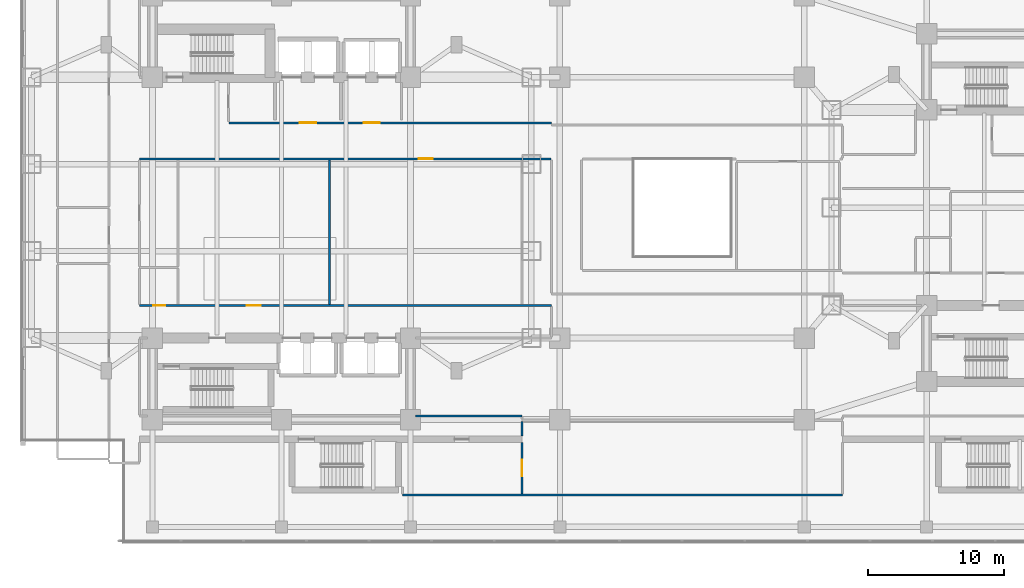
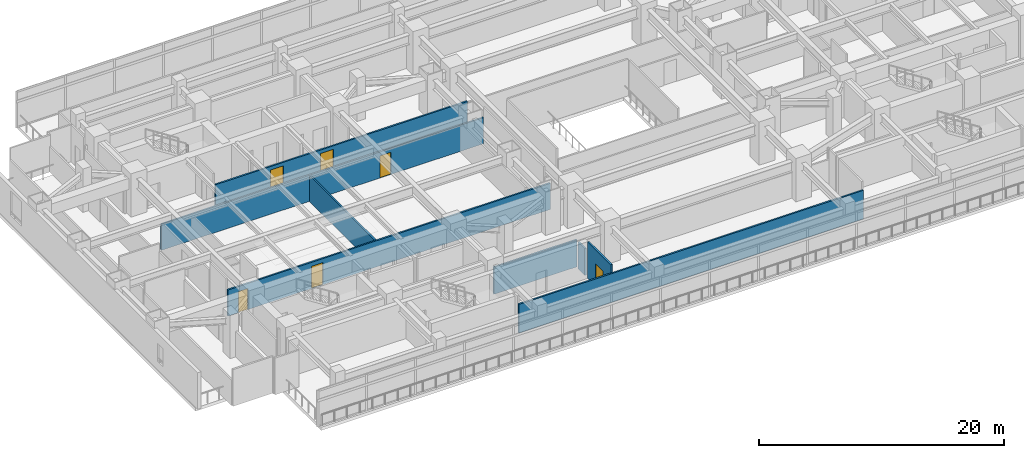
# One storey, part 13 of 26: 8 walls, 6 doors, 6 openings.
"""IFC4 building model written with IfcOpenShell, lengths in metres."""

import ifcopenshell
import ifcopenshell.guid

model = None  # the IFC model being written
_history = None  # IfcOwnerHistory: only IFC2X3 demands one
_inside = {}  # id of a spatial element -> (the spatial element, [elements in it])
_under = {}  # id of a project, library or spatial element -> (it, [spatial elements below it])
_declared = {}  # id of a project -> (the project, [libraries it declares])
_typed = {}  # id of a type object -> (the type object, [elements of that type])
_made_of = {}  # id of a material, layer set ... -> (it, [elements and type objects made of it])


def new_model(schema):
    """Start an empty IFC model of exactly this schema.

    Asked for "IFC4X3", IfcOpenShell would pick the latest addendum, in which some entities
    have other attributes; the version numbers below select the first issue.
    IFC2X3 requires an IfcOwnerHistory on every rooted entity: one is made here for all.
    """
    global model, _history
    if schema == "IFC4X3":
        model = ifcopenshell.file(schema_version=(4, 3, 0, 0))
    else:
        model = ifcopenshell.file(schema=schema)
    _inside.clear()
    _under.clear()
    _declared.clear()
    _typed.clear()
    _made_of.clear()
    _history = None
    if model.schema == "IFC2X3":
        org = make("IfcOrganization", Name="unknown")
        user = make(
            "IfcPersonAndOrganization",
            ThePerson=make("IfcPerson", FamilyName="unknown"),
            TheOrganization=org,
        )
        app = make(
            "IfcApplication",
            ApplicationDeveloper=org,
            Version="unknown",
            ApplicationFullName="unknown",
            ApplicationIdentifier="unknown",
        )
        _history = make(
            "IfcOwnerHistory",
            OwningUser=user,
            OwningApplication=app,
            ChangeAction="ADDED",
            CreationDate=0,
        )
    return model


def make(cls, **values):
    """One entity of the class cls with the attributes given. An attribute that is None is left unset."""
    return model.create_entity(
        cls, **{name: value for name, value in values.items() if value is not None}
    )


def rooted(cls, **values):
    """An entity with a GlobalId (a new one), such as an element, a storey or a relation."""
    return make(cls, GlobalId=ifcopenshell.guid.new(), OwnerHistory=_history, **values)


def si_unit(unit_type, name, prefix=None):
    """IfcSIUnit, for example si_unit("LENGTHUNIT", "METRE", prefix="MILLI")."""
    return make("IfcSIUnit", UnitType=unit_type, Prefix=prefix, Name=name)


def assignment(units):
    """IfcUnitAssignment: the units of a project."""
    return None if units is None else make("IfcUnitAssignment", Units=units)


def point(xyz):
    """IfcCartesianPoint."""
    return None if xyz is None else make("IfcCartesianPoint", Coordinates=xyz)


def direction(xyz):
    """IfcDirection."""
    return None if xyz is None else make("IfcDirection", DirectionRatios=xyz)


def frame(location, z_axis=None, x_axis=None):
    """IfcAxis2Placement3D, a coordinate frame: its origin and axes. An axis left out is left unset."""
    return make(
        "IfcAxis2Placement3D",
        Location=point(location),
        Axis=direction(z_axis),
        RefDirection=direction(x_axis),
    )


def frame_2d(location, x_axis=None):
    """IfcAxis2Placement2D, a coordinate frame in the plane: its origin and x axis."""
    return make(
        "IfcAxis2Placement2D", Location=point(location), RefDirection=direction(x_axis)
    )


def origin():
    """The frame at (0, 0, 0) with its axes left unset."""
    return frame((0.0, 0.0, 0.0))


def place(relative_to, where):
    """IfcLocalPlacement: puts the frame where relative to a parent placement (None: the world)."""
    return make(
        "IfcLocalPlacement", PlacementRelTo=relative_to, RelativePlacement=where
    )


def context(
    kind, dimensions, precision=None, world=None, true_north=None, identifier=None
):
    """IfcGeometricRepresentationContext, for example the 3D "Model" context."""
    return make(
        "IfcGeometricRepresentationContext",
        ContextIdentifier=identifier,
        ContextType=kind,
        CoordinateSpaceDimension=dimensions,
        Precision=precision,
        WorldCoordinateSystem=world,
        TrueNorth=true_north,
    )


def subcontext(parent, identifier, kind, view, scale=None):
    """IfcGeometricRepresentationSubContext, for example "Body" below "Model"."""
    return make(
        "IfcGeometricRepresentationSubContext",
        ContextIdentifier=identifier,
        ContextType=kind,
        ParentContext=parent,
        TargetScale=scale,
        TargetView=view,
    )


def project(units=None, contexts=None):
    """IfcProject with its units and contexts."""
    return rooted(
        "IfcProject",
        Name="project",
        RepresentationContexts=contexts,
        UnitsInContext=assignment(units),
    )


def spatial(cls, under=None, at=None, **own):
    """A site, building, storey or space (cls), placed at a placement, below another one or the project."""
    s = rooted(cls, ObjectPlacement=at, **own)
    if under is not None:
        _under.setdefault(under.id(), (under, []))[1].append(s)
    return s


def profile(cls, at=None, kind="AREA", **sizes):
    """A parametric profile (cls). Its sizes go by their IFC names, for example OverallWidth=200.0."""
    return make(cls, ProfileType=kind, Position=at, **sizes)


def rectangle(**sizes):
    """IfcRectangleProfileDef."""
    return profile("IfcRectangleProfileDef", **sizes)


def extrude(swept, where, along, depth):
    """IfcExtrudedAreaSolid: the profile swept, set in the frame where, extruded along a direction by depth."""
    return make(
        "IfcExtrudedAreaSolid",
        SweptArea=swept,
        Position=where,
        ExtrudedDirection=direction(along),
        Depth=depth,
    )


def shape(context_of_items, identifier, shape_type, items):
    """IfcShapeRepresentation: the items that make up one representation, for example the "Body"."""
    return make(
        "IfcShapeRepresentation",
        ContextOfItems=context_of_items,
        RepresentationIdentifier=identifier,
        RepresentationType=shape_type,
        Items=items,
    )


def material(Name=None, Category=None):
    """IfcMaterial."""
    return make("IfcMaterial", Name=Name, Category=Category)


def layer(
    of_material, thickness, ventilated=None, Name=None, Category=None, Priority=None
):
    """IfcMaterialLayer: one layer of a wall or slab, of a material (None: an air gap)."""
    return make(
        "IfcMaterialLayer",
        Material=of_material,
        LayerThickness=thickness,
        IsVentilated=ventilated,
        Name=Name,
        Category=Category,
        Priority=Priority,
    )


def layer_set(layers, Name=None):
    """IfcMaterialLayerSet."""
    return make("IfcMaterialLayerSet", MaterialLayers=layers, LayerSetName=Name)


def made_of(thing, what):
    """Note that an element or type object is made of a material, layer set ...; save() writes the relation."""
    if what is not None:
        _made_of.setdefault(what.id(), (what, []))[1].append(thing)
    return thing


def type_object(cls, material=None, **own):
    """A type object (cls), such as IfcWallType, which elements share."""
    return made_of(rooted(cls, **own), material)


def element(
    cls,
    number,
    at=None,
    inside=None,
    cuts=None,
    type_object=None,
    material=None,
    context=None,
    identifier="Body",
    shape_type=None,
    held_by="IfcProductDefinitionShape",
    body=None,
    shapes=None,
    **own,
):
    """One element of the class cls, such as IfcWall. Its Tag is "e" and its number.

    at: its placement. inside: the storey or other place that contains it. cuts: it is an
    opening in that element (IfcRelVoidsElement). A single representation is given by context,
    identifier, shape_type and body (its items); several are given by shapes. held_by: the class
    of the entity that holds the representations. save() writes the other relations.
    """
    e = rooted(cls, Tag="e%d" % number, ObjectPlacement=at, **own)
    if body is not None:
        shapes = [shape(context, identifier, shape_type, body)]
    if shapes is not None:
        e.Representation = make(held_by, Representations=shapes)
    if inside is not None:
        _inside.setdefault(inside.id(), (inside, []))[1].append(e)
    if cuts is not None:
        rooted(
            "IfcRelVoidsElement", RelatingBuildingElement=cuts, RelatedOpeningElement=e
        )
    if type_object is not None:
        _typed.setdefault(type_object.id(), (type_object, []))[1].append(e)
    return made_of(e, material)


def fill(opening, filler):
    """IfcRelFillsElement: the door or window that sits in an opening."""
    return rooted(
        "IfcRelFillsElement",
        RelatingOpeningElement=opening,
        RelatedBuildingElement=filler,
    )


def aggregate(whole, parts):
    """IfcRelAggregates: a whole, such as a stair, and the parts it consists of."""
    return rooted("IfcRelAggregates", RelatingObject=whole, RelatedObjects=parts)


def save(model, path):
    """Write the relations noted so far, then the file.

    IfcRelAggregates (storeys below a building ...), IfcRelContainedInSpatialStructure (elements
    in a storey), IfcRelDefinesByType, IfcRelAssociatesMaterial and IfcRelDeclares: one each for
    every whole, place, type object, material and project.
    """
    for whole, parts in _under.values():
        aggregate(whole, parts)
    for where, things in _inside.values():
        rooted(
            "IfcRelContainedInSpatialStructure",
            RelatedElements=things,
            RelatingStructure=where,
        )
    for kind, things in _typed.values():
        rooted("IfcRelDefinesByType", RelatedObjects=things, RelatingType=kind)
    for what, things in _made_of.values():
        rooted("IfcRelAssociatesMaterial", RelatedObjects=things, RelatingMaterial=what)
    for by, libraries in _declared.values():
        rooted("IfcRelDeclares", RelatingContext=by, RelatedDefinitions=libraries)
    model.write(path)


model = new_model("IFC4")

# Units and contexts
model_context = context("Model", 3, precision=1e-05, world=origin(), true_north=direction((0.0, 1.0)))
body_context = subcontext(model_context, "Body", "Model", "MODEL_VIEW")
ifc_project = project(units=[si_unit("LENGTHUNIT", "METRE"), si_unit("AREAUNIT", "SQUARE_METRE"), si_unit("VOLUMEUNIT", "CUBIC_METRE"), si_unit("PLANEANGLEUNIT", "RADIAN"), si_unit("MASSUNIT", "GRAM", prefix="KILO")], contexts=[model_context])

# Site, building, storey
site_placement = place(None, origin())
site = spatial("IfcSite", under=ifc_project, at=site_placement, CompositionType="ELEMENT")
building_placement = place(site_placement, origin())
building = spatial("IfcBuilding", under=site, at=building_placement, Name="Mirazonda Arch Towers", CompositionType="ELEMENT")
storey_placement = place(building_placement, frame((0.0, 0.0, 13.800048828125)))
storey = spatial("IfcBuildingStorey", under=building, at=storey_placement, Name="L03", CompositionType="ELEMENT", Elevation=13.800048828125)

# Walls
ifc_material_1 = material(Name="Fire-Rated Gypsum Stud Partition")
ifc_layer = layer(ifc_material_1, 0.14990234375, Name="WALL-PART-CORR-150")
ifc_layer_set = layer_set([ifc_layer], Name="Fire-Rated Gypsum Stud Partition")
wall_type = type_object("IfcWallType", Name="WALL-PART-CORR-150", PredefinedType="PARTITIONING", material=ifc_layer_set)
wall_1_placement = place(storey_placement, frame((29.39990234375, 6.85009765625, 0.0), z_axis=(0.0, 0.0, 1.0), x_axis=(1.0, 0.0, 0.0)))
element("IfcWall", 1, at=wall_1_placement, inside=storey, type_object=wall_type, Name="L03 Interior Partition 001", PredefinedType="PARTITIONING", context=body_context, shape_type="SweptSolid", body=[
    extrude(rectangle(XDim=32.400146484375, YDim=0.14990234375, at=frame_2d((16.2001953125, 0.0))), origin(), (0.0, 0.0, 1.0), 2.868896484375),
])
wall_2_placement = place(storey_placement, frame((30.3701171875, 12.64990234375, 0.0), z_axis=(0.0, 0.0, 1.0), x_axis=(1.0, 0.0, 0.0)))
element("IfcWall", 2, at=wall_2_placement, inside=storey, type_object=wall_type, Name="L03 Interior Partition 013", PredefinedType="PARTITIONING", context=body_context, shape_type="SweptSolid", body=[
    extrude(rectangle(XDim=7.829833984375, YDim=0.14990234375, at=frame_2d((3.9150390625, 0.0))), origin(), (0.0, 0.0, 1.0), 2.69384765625),
])

# Wall, openings, doors
wall_3_placement = place(storey_placement, frame((10.050048828125, 20.800048828125, 0.0), z_axis=(0.0, 0.0, 1.0), x_axis=(1.0, 0.0, 0.0)))
wall_3 = element("IfcWall", 3, at=wall_3_placement, inside=storey, type_object=wall_type, Name="L03 Interior Partition 024", PredefinedType="PARTITIONING", context=body_context, shape_type="SweptSolid", body=[
    extrude(rectangle(XDim=30.349853515625, YDim=0.14990234375, at=frame_2d((15.1748046875, 0.0))), origin(), (0.0, 0.0, 1.0), 2.60205078125),
])
opening_1_placement = place(wall_3_placement, frame((0.9951171875, 0.0, 0.0)))
opening_1 = element("IfcOpeningElement", 4, at=opening_1_placement, cuts=wall_3, Name="Opening DR-120", PredefinedType="OPENING", context=body_context, shape_type="SweptSolid", body=[
    extrude(rectangle(XDim=0.89990234375, YDim=2.10009765625, at=frame_2d((0.449951171875, 1.050048828125))), frame((0.0, 0.0849609375, 0.0), z_axis=(0.0, -1.0, 0.0), x_axis=(1.0, 0.0, 0.0)), (0.0, 0.0, 1.0), 0.169921875),
])
opening_2_placement = place(wall_3_placement, frame((7.89111328125, 0.0, 0.0)))
opening_2 = element("IfcOpeningElement", 5, at=opening_2_placement, cuts=wall_3, Name="Opening DR-121", PredefinedType="OPENING", context=body_context, shape_type="SweptSolid", body=[
    extrude(rectangle(XDim=1.050048828125, YDim=2.199951171875, at=frame_2d((0.52490234375, 1.10009765625))), frame((0.0, 0.0849609375, 0.0), z_axis=(0.0, -1.0, 0.0), x_axis=(1.0, 0.0, 0.0)), (0.0, 0.0, 1.0), 0.169921875),
])
ifc_material_2 = material(Name="Architectural Brushed Steel S355", Category="steel")
door_type_1 = type_object("IfcDoorType", Name="DOOR-SUITE-FD60-1050", OperationType="NOTDEFINED", PredefinedType="DOOR", material=ifc_material_2)
door_1_placement = place(opening_2_placement, origin())
door_1 = element("IfcDoor", 6, at=door_1_placement, inside=storey, type_object=door_type_1, Name="L03 Central Plenary Breakout Lounge Door", OperationType="SINGLE_SWING_RIGHT", OverallHeight=2.199951171875, OverallWidth=1.050048828125, PredefinedType="DOOR", context=body_context, shape_type="SweptSolid", body=[
    extrude(rectangle(XDim=1.050048828125, YDim=2.199951171875, at=frame_2d((0.52490234375, 1.10009765625))), frame((0.0, 0.02490234375, 0.0), z_axis=(0.0, -1.0, 0.0), x_axis=(1.0, 0.0, 0.0)), (0.0, 0.0, 1.0), 0.050048828125),
])
fill(opening_2, door_1)
door_type_2 = type_object("IfcDoorType", Name="DOOR-WC-900", OperationType="NOTDEFINED", PredefinedType="DOOR", material=ifc_material_2)
door_2_placement = place(opening_1_placement, origin())
door_2 = element("IfcDoor", 7, at=door_2_placement, inside=storey, type_object=door_type_2, Name="L03 Common Podium Accessible WC Door", OperationType="SINGLE_SWING_RIGHT", OverallHeight=2.10009765625, OverallWidth=0.89990234375, PredefinedType="DOOR", context=body_context, shape_type="SweptSolid", body=[
    extrude(rectangle(XDim=0.89990234375, YDim=2.10009765625, at=frame_2d((0.449951171875, 1.050048828125))), frame((0.0, 0.02490234375, 0.0), z_axis=(0.0, -1.0, 0.0), x_axis=(1.0, 0.0, 0.0)), (0.0, 0.0, 1.0), 0.050048828125),
])
fill(opening_1, door_2)

# Wall, opening, door
wall_4_placement = place(storey_placement, frame((10.050048828125, 31.60009765625, 0.0), z_axis=(0.0, 0.0, 1.0), x_axis=(1.0, 0.0, 0.0)))
wall_4 = element("IfcWall", 8, at=wall_4_placement, inside=storey, type_object=wall_type, Name="L03 Interior Partition 040", PredefinedType="PARTITIONING", context=body_context, shape_type="SweptSolid", body=[
    extrude(rectangle(XDim=30.31005859375, YDim=0.14990234375, at=frame_2d((15.155029296875, 0.0))), origin(), (0.0, 0.0, 1.0), 2.60205078125),
])
opening_3_placement = place(wall_4_placement, frame((20.541015625, 0.0, 0.0)))
opening_3 = element("IfcOpeningElement", 9, at=opening_3_placement, cuts=wall_4, Name="Opening DR-121", PredefinedType="OPENING", context=body_context, shape_type="SweptSolid", body=[
    extrude(rectangle(XDim=1.050048828125, YDim=2.199951171875, at=frame_2d((0.52490234375, 1.10009765625))), frame((0.0, 0.0849609375, 0.0), z_axis=(0.0, -1.0, 0.0), x_axis=(1.0, 0.0, 0.0)), (0.0, 0.0, 1.0), 0.169921875),
])
door_3_placement = place(opening_3_placement, origin())
door_3 = element("IfcDoor", 10, at=door_3_placement, inside=storey, type_object=door_type_1, Name="L03 Executive Caucus Room Door", OperationType="SINGLE_SWING_LEFT", OverallHeight=2.199951171875, OverallWidth=1.050048828125, PredefinedType="DOOR", context=body_context, shape_type="SweptSolid", body=[
    extrude(rectangle(XDim=1.050048828125, YDim=2.199951171875, at=frame_2d((0.52490234375, 1.10009765625))), frame((0.0, 0.02490234375, 0.0), z_axis=(0.0, -1.0, 0.0), x_axis=(1.0, 0.0, 0.0)), (0.0, 0.0, 1.0), 0.050048828125),
])
fill(opening_3, door_3)

# Wall, openings, doors
wall_5_placement = place(storey_placement, frame((16.64990234375, 34.25, 0.0), z_axis=(0.0, 0.0, 1.0), x_axis=(1.0, 0.0, 0.0)))
wall_5 = element("IfcWall", 11, at=wall_5_placement, inside=storey, type_object=wall_type, Name="L03 Interior Partition 046", PredefinedType="PARTITIONING", context=body_context, shape_type="SweptSolid", body=[
    extrude(rectangle(XDim=23.72998046875, YDim=0.14990234375, at=frame_2d((11.864990234375, 0.0))), origin(), (0.0, 0.0, 1.0), 2.60205078125),
])
opening_4_placement = place(wall_5_placement, frame((5.199951171875, 0.0, 0.0)))
opening_4 = element("IfcOpeningElement", 12, at=opening_4_placement, cuts=wall_5, Name="Opening DR-117", PredefinedType="OPENING", context=body_context, shape_type="SweptSolid", body=[
    extrude(rectangle(XDim=1.199951171875, YDim=2.25, at=frame_2d((0.60009765625, 1.125))), frame((0.0, 0.0849609375, 0.0), z_axis=(0.0, -1.0, 0.0), x_axis=(1.0, 0.0, 0.0)), (0.0, 0.0, 1.0), 0.169921875),
])
opening_5_placement = place(wall_5_placement, frame((9.89990234375, 0.0, 0.0)))
opening_5 = element("IfcOpeningElement", 13, at=opening_5_placement, cuts=wall_5, Name="Opening DR-117", PredefinedType="OPENING", context=body_context, shape_type="SweptSolid", body=[
    extrude(rectangle(XDim=1.199951171875, YDim=2.25, at=frame_2d((0.60009765625, 1.125))), frame((0.0, 0.0849609375, 0.0), z_axis=(0.0, -1.0, 0.0), x_axis=(1.0, 0.0, 0.0)), (0.0, 0.0, 1.0), 0.169921875),
])
door_type_3 = type_object("IfcDoorType", Name="DOOR-FFL-FD90-1200", OperationType="NOTDEFINED", PredefinedType="DOOR", material=ifc_material_2)
door_4_placement = place(opening_4_placement, origin())
door_4 = element("IfcDoor", 14, at=door_4_placement, inside=storey, type_object=door_type_3, Name="L03 Firefighting Lift Lobby Door", OperationType="SINGLE_SWING_LEFT", OverallHeight=2.25, OverallWidth=1.199951171875, PredefinedType="DOOR", context=body_context, shape_type="SweptSolid", body=[
    extrude(rectangle(XDim=1.199951171875, YDim=2.25, at=frame_2d((0.60009765625, 1.125))), frame((0.0, 0.02490234375, 0.0), z_axis=(0.0, -1.0, 0.0), x_axis=(1.0, 0.0, 0.0)), (0.0, 0.0, 1.0), 0.050048828125),
])
fill(opening_4, door_4)
door_5_placement = place(opening_5_placement, origin())
door_5 = element("IfcDoor", 15, at=door_5_placement, inside=storey, type_object=door_type_3, Name="L03 Passenger Lift Lobby North Door", OperationType="SINGLE_SWING_RIGHT", OverallHeight=2.25, OverallWidth=1.199951171875, PredefinedType="DOOR", context=body_context, shape_type="SweptSolid", body=[
    extrude(rectangle(XDim=1.199951171875, YDim=2.25, at=frame_2d((0.60009765625, 1.125))), frame((0.0, 0.02490234375, 0.0), z_axis=(0.0, -1.0, 0.0), x_axis=(1.0, 0.0, 0.0)), (0.0, 0.0, 1.0), 0.050048828125),
])
fill(opening_5, door_5)

# Wall
wall_6_placement = place(storey_placement, frame((24.031982421875, 20.885009765625, 0.0), z_axis=(0.0, 0.0, 1.0), x_axis=(0.0, 1.0, 0.0)))
element("IfcWall", 16, at=wall_6_placement, inside=storey, type_object=wall_type, Name="L03 Interior Partition 084", PredefinedType="PARTITIONING", context=body_context, shape_type="SweptSolid", body=[
    extrude(rectangle(XDim=10.6298828125, YDim=0.14990234375, at=frame_2d((5.31494140625, 0.0))), origin(), (0.0, 0.0, 1.0), 2.60205078125),
])

# Wall, opening, door
wall_7_placement = place(storey_placement, frame((38.199951171875, 6.93505859375, 0.0), z_axis=(0.0, 0.0, 1.0), x_axis=(0.0, 1.0, 0.0)))
wall_7 = element("IfcWall", 17, at=wall_7_placement, inside=storey, type_object=wall_type, Name="L03 Interior Partition 095", PredefinedType="PARTITIONING", context=body_context, shape_type="SweptSolid", body=[
    extrude(rectangle(XDim=3.780029296875, YDim=0.14990234375, at=frame_2d((1.89013671875, 0.0))), origin(), (0.0, 0.0, 1.0), 3.64990234375),
])
opening_6_placement = place(wall_7_placement, frame((1.2900390625, 0.0, 0.0)))
opening_6 = element("IfcOpeningElement", 18, at=opening_6_placement, cuts=wall_7, Name="Opening DR-117", PredefinedType="OPENING", context=body_context, shape_type="SweptSolid", body=[
    extrude(rectangle(XDim=1.199951171875, YDim=2.25, at=frame_2d((0.60009765625, 1.125))), frame((0.0, 0.0849609375, 0.0), z_axis=(0.0, -1.0, 0.0), x_axis=(1.0, 0.0, 0.0)), (0.0, 0.0, 1.0), 0.169921875),
])
door_6_placement = place(opening_6_placement, origin())
door_6 = element("IfcDoor", 19, at=door_6_placement, inside=storey, type_object=door_type_3, Name="L03 L03 Arch-Span South Pavilion Door", OperationType="SINGLE_SWING_RIGHT", OverallHeight=2.25, OverallWidth=1.199951171875, PredefinedType="DOOR", context=body_context, shape_type="SweptSolid", body=[
    extrude(rectangle(XDim=1.199951171875, YDim=2.25, at=frame_2d((0.60009765625, 1.125))), frame((0.0, 0.02490234375, 0.0), z_axis=(0.0, -1.0, 0.0), x_axis=(1.0, 0.0, 0.0)), (0.0, 0.0, 1.0), 0.050048828125),
])
fill(opening_6, door_6)

# Wall
wall_8_placement = place(storey_placement, frame((38.199951171875, 11.18505859375, 0.0), z_axis=(0.0, 0.0, 1.0), x_axis=(0.0, 1.0, 0.0)))
element("IfcWall", 20, at=wall_8_placement, inside=storey, type_object=wall_type, Name="L03 Interior Partition 096", PredefinedType="PARTITIONING", context=body_context, shape_type="SweptSolid", body=[
    extrude(rectangle(XDim=1.079833984375, YDim=0.14990234375, at=frame_2d((0.5400390625, 0.0))), origin(), (0.0, 0.0, 1.0), 2.69384765625),
])

save(model, "model.ifc")
